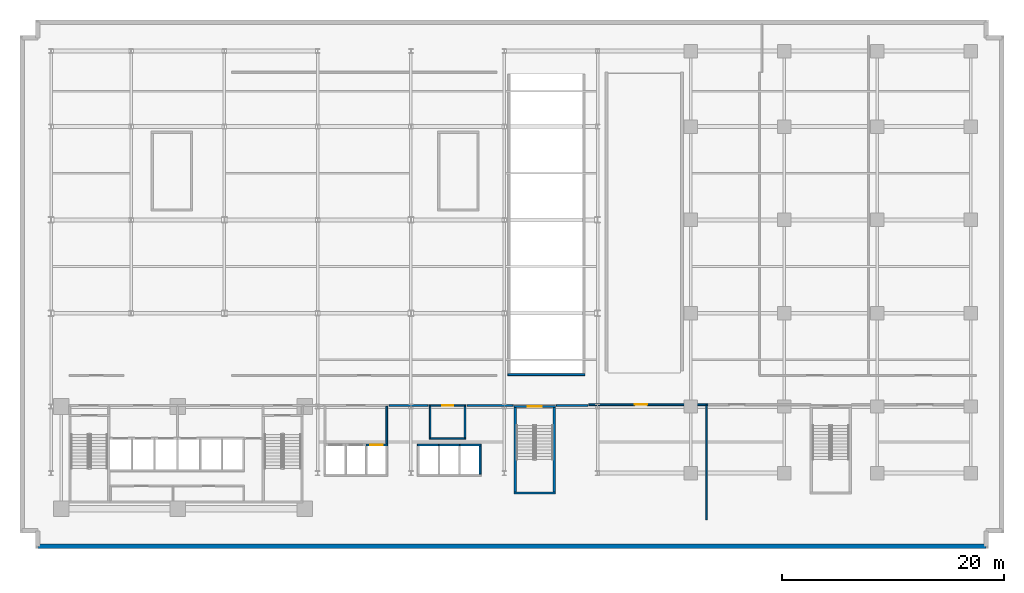
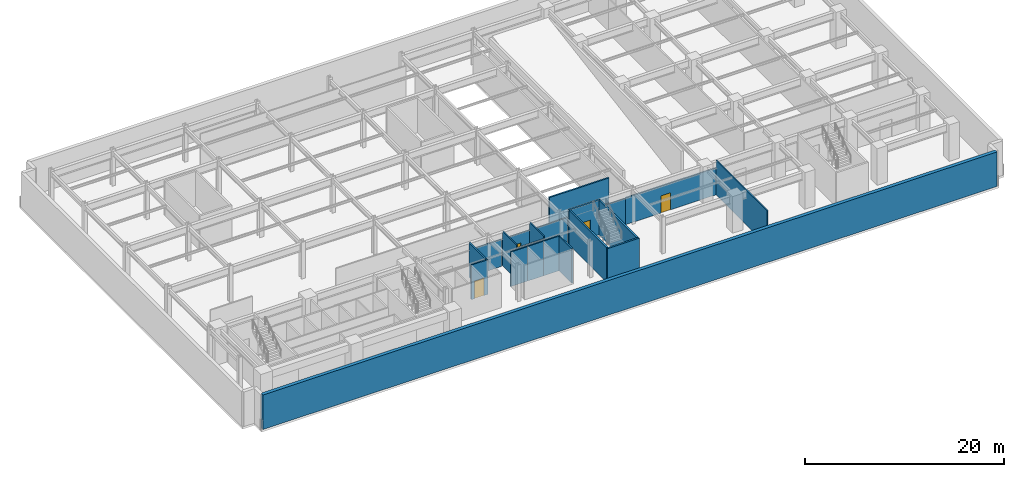
# One storey, part 8 of 14: 21 walls, 4 doors, 4 openings.
"""IFC4 building model written with IfcOpenShell, lengths in metres."""

from ifc_helpers import new_model, si_unit, direction, frame, frame_2d, origin, place, context, subcontext, project, spatial, rectangle, extrude, material, layer, layer_set, type_object, element, fill, save


model = new_model("IFC4")

# Units and contexts
model_context = context("Model", 3, precision=1e-05, world=origin(), true_north=direction((0.0, 1.0)))
body_context = subcontext(model_context, "Body", "Model", "MODEL_VIEW")
ifc_project = project(units=[si_unit("LENGTHUNIT", "METRE"), si_unit("AREAUNIT", "SQUARE_METRE"), si_unit("VOLUMEUNIT", "CUBIC_METRE"), si_unit("PLANEANGLEUNIT", "RADIAN"), si_unit("MASSUNIT", "GRAM", prefix="KILO")], contexts=[model_context])

# Site, building, storey
site_placement = place(None, origin())
site = spatial("IfcSite", under=ifc_project, at=site_placement, CompositionType="ELEMENT")
building_placement = place(site_placement, origin())
building = spatial("IfcBuilding", under=site, at=building_placement, Name="Varnakote Quay Hospital", CompositionType="ELEMENT")
storey_placement = place(building_placement, frame((0.0, 0.0, -4.5)))
storey = spatial("IfcBuildingStorey", under=building, at=storey_placement, Name="B01", CompositionType="ELEMENT", Elevation=-4.5)

# Walls
ifc_material_1 = material(Name="Concrete N40 (f'c 40 MPa)", Category="concrete")
ifc_layer_1 = layer(ifc_material_1, 0.39990234375)
ifc_layer_set_1 = layer_set([ifc_layer_1], Name="Concrete N40 (f'c 40 MPa)")
wall_type_1 = type_object("IfcWallType", Name="WL-BSMT-RET-400", PredefinedType="STANDARD", material=ifc_layer_set_1)
wall_1_placement = place(storey_placement, frame((0.0, -0.60009765625, 0.0), z_axis=(0.0, 0.0, 1.0), x_axis=(1.0, 0.0, 0.0)))
element("IfcWall", 1, at=wall_1_placement, inside=storey, type_object=wall_type_1, Name="B01 Tanked Basement Retaining Wall", PredefinedType="STANDARD", context=body_context, shape_type="SweptSolid", body=[
    extrude(rectangle(XDim=85.39990234375, YDim=0.39990234375, at=frame_2d((42.699951171875, 0.0))), origin(), (0.0, 0.0, 1.0), 4.25),
])
ifc_material_2 = material(Name="Fire-rated acoustic gypsum stud wall", Category="gypsum")
ifc_layer_2 = layer(ifc_material_2, 0.159912109375)
ifc_layer_set_2 = layer_set([ifc_layer_2], Name="Fire-rated acoustic gypsum stud wall")
wall_type_2 = type_object("IfcWallType", Name="WL-COMP-160", PredefinedType="PARTITIONING", material=ifc_layer_set_2)
wall_2_placement = place(storey_placement, frame((31.429931640625, 8.610107421875, 0.0), z_axis=(0.0, 0.0, 1.0), x_axis=(0.0, 1.0, 0.0)))
element("IfcWall", 2, at=wall_2_placement, inside=storey, type_object=wall_type_2, Name="B01 Low-Rise Lift Lobby East Wall", PredefinedType="PARTITIONING", context=body_context, shape_type="SweptSolid", body=[
    extrude(rectangle(XDim=3.389892578125, YDim=0.159912109375, at=frame_2d((1.69482421875, 0.0))), origin(), (0.0, 0.0, 1.0), 4.25),
])
wall_3_placement = place(storey_placement, frame((31.6298828125, 12.080078125, 0.0), z_axis=(0.0, 0.0, 1.0), x_axis=(1.0, 0.0, 0.0)))
element("IfcWall", 3, at=wall_3_placement, inside=storey, type_object=wall_type_2, Name="B01 Corridor South Gap Wall", PredefinedType="PARTITIONING", context=body_context, shape_type="SweptSolid", body=[
    extrude(rectangle(XDim=3.510498046875, YDim=0.159912109375, at=frame_2d((1.75537109375, 0.0))), origin(), (0.0, 0.0, 1.0), 3.31494140625),
])
wall_4_placement = place(storey_placement, frame((38.659423828125, 12.080078125, 0.0), z_axis=(0.0, 0.0, 1.0), x_axis=(1.0, 0.0, 0.0)))
element("IfcWall", 4, at=wall_4_placement, inside=storey, type_object=wall_type_2, Name="B01 Corridor South Gap Wall", PredefinedType="PARTITIONING", context=body_context, shape_type="SweptSolid", body=[
    extrude(rectangle(XDim=4.1513671875, YDim=0.159912109375, at=frame_2d((2.07568359375, 0.0))), origin(), (0.0, 0.0, 1.0), 3.31494140625),
])
wall_5_placement = place(storey_placement, frame((46.689208984375, 12.080078125, 0.0), z_axis=(0.0, 0.0, 1.0), x_axis=(1.0, 0.0, 0.0)))
element("IfcWall", 5, at=wall_5_placement, inside=storey, type_object=wall_type_2, Name="B01 Corridor South Gap Wall", PredefinedType="PARTITIONING", context=body_context, shape_type="SweptSolid", body=[
    extrude(rectangle(XDim=2.843017578125, YDim=0.159912109375, at=frame_2d((1.42138671875, 0.0))), origin(), (0.0, 0.0, 1.0), 3.31494140625),
])
ifc_material_3 = material(Name="Fire-rated acoustic gypsum stud wall", Category="gypsum")
ifc_layer_3 = layer(ifc_material_3, 0.179931640625)
ifc_layer_set_3 = layer_set([ifc_layer_3], Name="Fire-rated acoustic gypsum stud wall")
wall_type_3 = type_object("IfcWallType", Name="WL-COMP-180", PredefinedType="PARTITIONING", material=ifc_layer_set_3)
wall_6_placement = place(storey_placement, frame((42.330078125, 14.8798828125, 0.0), z_axis=(0.0, 0.0, 1.0), x_axis=(1.0, 0.0, 0.0)))
element("IfcWall", 6, at=wall_6_placement, inside=storey, type_object=wall_type_3, Name="B01 Vehicle Ramp R1 Opening South Headwall", PredefinedType="PARTITIONING", context=body_context, shape_type="SweptSolid", body=[
    extrude(rectangle(XDim=6.93994140625, YDim=0.179931640625, at=frame_2d((3.469970703125, 0.0))), origin(), (0.0, 0.0, 1.0), 4.25),
])

# Wall, opening, door
ifc_material_4 = material(Name="Concrete N50 (f'c 50 MPa)", Category="concrete")
ifc_layer_4 = layer(ifc_material_4, 0.159912109375)
ifc_layer_set_4 = layer_set([ifc_layer_4], Name="Concrete N50 (f'c 50 MPa)")
wall_type_4 = type_object("IfcWallType", Name="WL-SHAFT-N50-160", PredefinedType="SHEAR", material=ifc_layer_set_4)
wall_7_placement = place(storey_placement, frame((29.574951171875, 8.530029296875, 0.0), z_axis=(0.0, 0.0, 1.0), x_axis=(1.0, 0.0, 0.0)))
wall_7 = element("IfcWall", 7, at=wall_7_placement, inside=storey, type_object=wall_type_4, Name="B01 LF-PL3 Hoistway Front Wall", PredefinedType="SHEAR", context=body_context, shape_type="SweptSolid", body=[
    extrude(rectangle(XDim=1.93505859375, YDim=0.159912109375, at=frame_2d((0.967529296875, 0.0))), origin(), (0.0, 0.0, 1.0), 4.25),
])
opening_1_placement = place(wall_7_placement, frame((0.375, 0.0, 0.0)))
opening_1 = element("IfcOpeningElement", 8, at=opening_1_placement, cuts=wall_7, Name="Opening LD-PL3-B01", PredefinedType="OPENING", context=body_context, shape_type="SweptSolid", body=[
    extrude(rectangle(XDim=1.10009765625, YDim=2.14990234375, at=frame_2d((0.550048828125, 1.074951171875))), frame((0.0, 0.08984375, 0.0), z_axis=(0.0, -1.0, 0.0), x_axis=(1.0, 0.0, 0.0)), (0.0, 0.0, 1.0), 0.179931640625),
])
ifc_material_5 = material(Name="Brushed bronze lift landing sliding door")
door_type_1 = type_object("IfcDoorType", Name="DR-LIFT-LD-1100x2150", OperationType="NOTDEFINED", PredefinedType="DOOR", material=ifc_material_5)
door_1_placement = place(opening_1_placement, origin())
door_1 = element("IfcDoor", 9, at=door_1_placement, inside=storey, type_object=door_type_1, Name="B01 LF-PL3 Lift Landing Sliding Door", OperationType="SLIDING_TO_LEFT", OverallHeight=2.14990234375, OverallWidth=1.10009765625, PredefinedType="DOOR", context=body_context, shape_type="SweptSolid", body=[
    extrude(rectangle(XDim=1.10009765625, YDim=2.14990234375, at=frame_2d((0.550048828125, 1.074951171875))), frame((0.0, 0.02490234375, 0.0), z_axis=(0.0, -1.0, 0.0), x_axis=(1.0, 0.0, 0.0)), (0.0, 0.0, 1.0), 0.050048828125),
])
fill(opening_1, door_1)

# Walls
wall_8_placement = place(storey_placement, frame((39.830078125, 5.89990234375, 0.0), z_axis=(0.0, 0.0, 1.0), x_axis=(0.0, 1.0, 0.0)))
element("IfcWall", 10, at=wall_8_placement, inside=storey, type_object=wall_type_4, Name="B01 MID Lift Bank East Shear Wall", PredefinedType="SHEAR", context=body_context, shape_type="SweptSolid", body=[
    extrude(rectangle(XDim=2.550048828125, YDim=0.159912109375, at=frame_2d((1.27490234375, 0.0))), origin(), (0.0, 0.0, 1.0), 4.25),
])
wall_9_placement = place(storey_placement, frame((34.18994140625, 8.530029296875, 0.0), z_axis=(0.0, 0.0, 1.0), x_axis=(1.0, 0.0, 0.0)))
element("IfcWall", 11, at=wall_9_placement, inside=storey, type_object=wall_type_4, Name="B01 LF-PM1 Hoistway Front Wall", PredefinedType="SHEAR", context=body_context, shape_type="SweptSolid", body=[
    extrude(rectangle(XDim=1.93505859375, YDim=0.159912109375, at=frame_2d((0.967529296875, 0.0))), origin(), (0.0, 0.0, 1.0), 4.25),
])
wall_10_placement = place(storey_placement, frame((36.125, 8.530029296875, 0.0), z_axis=(0.0, 0.0, 1.0), x_axis=(1.0, 0.0, 0.0)))
element("IfcWall", 12, at=wall_10_placement, inside=storey, type_object=wall_type_4, Name="B01 LF-PM2 Hoistway Front Wall", PredefinedType="SHEAR", context=body_context, shape_type="SweptSolid", body=[
    extrude(rectangle(XDim=1.85009765625, YDim=0.159912109375, at=frame_2d((0.925048828125, 0.0))), origin(), (0.0, 0.0, 1.0), 4.25),
])
wall_11_placement = place(storey_placement, frame((37.97509765625, 8.530029296875, 0.0), z_axis=(0.0, 0.0, 1.0), x_axis=(1.0, 0.0, 0.0)))
element("IfcWall", 13, at=wall_11_placement, inside=storey, type_object=wall_type_4, Name="B01 LF-PM3 Hoistway Front Wall", PredefinedType="SHEAR", context=body_context, shape_type="SweptSolid", body=[
    extrude(rectangle(XDim=1.934814453125, YDim=0.159912109375, at=frame_2d((0.96728515625, 0.0))), origin(), (0.0, 0.0, 1.0), 4.25),
])
ifc_material_6 = material(Name="Concrete N50 (f'c 50 MPa)", Category="concrete")
ifc_layer_5 = layer(ifc_material_6, 0.199951171875)
ifc_layer_set_5 = layer_set([ifc_layer_5], Name="Concrete N50 (f'c 50 MPa)")
wall_type_5 = type_object("IfcWallType", Name="WL-SHAFT-N50-200", PredefinedType="SHEAR", material=ifc_layer_set_5)
wall_12_placement = place(storey_placement, frame((42.89990234375, 4.199951171875, 0.0), z_axis=(0.0, 0.0, 1.0), x_axis=(1.0, 0.0, 0.0)))
element("IfcWall", 14, at=wall_12_placement, inside=storey, type_object=wall_type_5, Name="B01 Stair ST3 South Shaft Wall", PredefinedType="SHEAR", context=body_context, shape_type="SweptSolid", body=[
    extrude(rectangle(XDim=3.7001953125, YDim=0.199951171875, at=frame_2d((1.85009765625, 0.0))), origin(), (0.0, 0.0, 1.0), 4.25),
])
for number, where, z_axis, x_axis, name in (
    (15, (43.0, 4.300048828125, 0.0), (0.0, 0.0, 1.0), (0.0, 1.0, 0.0), "B01 Stair ST3 West Shaft Wall"),
    (16, (46.5, 4.300048828125, 0.0), (0.0, 0.0, 1.0), (0.0, 1.0, 0.0), "B01 Stair ST3 East Shaft Wall"),
):
    element("IfcWall", number, at=place(storey_placement, frame(where, z_axis=z_axis, x_axis=x_axis)), inside=storey, type_object=wall_type_5, Name=name, PredefinedType="SHEAR", context=body_context, shape_type="SweptSolid", body=[
        extrude(rectangle(XDim=7.599853515625, YDim=0.199951171875, at=frame_2d((3.7998046875, 0.0))), origin(), (0.0, 0.0, 1.0), 4.25),
    ])

# Wall, opening, door
wall_13_placement = place(storey_placement, frame((42.89990234375, 12.0, 0.0), z_axis=(0.0, 0.0, 1.0), x_axis=(1.0, 0.0, 0.0)))
wall_13 = element("IfcWall", 17, at=wall_13_placement, inside=storey, type_object=wall_type_5, Name="B01 Stair ST3 Exit Wall", PredefinedType="SHEAR", context=body_context, shape_type="SweptSolid", body=[
    extrude(rectangle(XDim=3.7001953125, YDim=0.199951171875, at=frame_2d((1.85009765625, 0.0))), origin(), (0.0, 0.0, 1.0), 4.25),
])
opening_2_placement = place(wall_13_placement, frame((1.199951171875, 0.0, 0.0)))
opening_2 = element("IfcOpeningElement", 18, at=opening_2_placement, cuts=wall_13, Name="Opening D-ST3-B01", PredefinedType="OPENING", context=body_context, shape_type="SweptSolid", body=[
    extrude(rectangle(XDim=1.300048828125, YDim=2.14990234375, at=frame_2d((0.64990234375, 1.074951171875))), frame((0.0, 0.10986328125, 0.0), z_axis=(0.0, -1.0, 0.0), x_axis=(1.0, 0.0, 0.0)), (0.0, 0.0, 1.0), 0.219970703125),
])
ifc_material_7 = material(Name="Fire-rated ceramic-glazed timber exit door", Category="wood")
door_type_2 = type_object("IfcDoorType", Name="DR-STAIR-FD60S-1300x2150", OperationType="NOTDEFINED", PredefinedType="DOOR", material=ifc_material_7)
door_2_placement = place(opening_2_placement, origin())
door_2 = element("IfcDoor", 19, at=door_2_placement, inside=storey, type_object=door_type_2, Name="B01 Stair ST3 Fire Exit Door", OperationType="SINGLE_SWING_RIGHT", OverallHeight=2.14990234375, OverallWidth=1.300048828125, PredefinedType="DOOR", context=body_context, shape_type="SweptSolid", body=[
    extrude(rectangle(XDim=1.300048828125, YDim=2.14990234375, at=frame_2d((0.64990234375, 1.074951171875))), frame((0.0, 0.02490234375, 0.0), z_axis=(0.0, -1.0, 0.0), x_axis=(1.0, 0.0, 0.0)), (0.0, 0.0, 1.0), 0.050048828125),
])
fill(opening_2, door_2)

# Walls
ifc_material_8 = material(Name="Smoke-proof clinical partition", Category="gypsum")
ifc_layer_6 = layer(ifc_material_8, 0.135009765625)
ifc_layer_set_6 = layer_set([ifc_layer_6], Name="Smoke-proof clinical partition")
wall_type_6 = type_object("IfcWallType", Name="WL-SMOKE-135", PredefinedType="PARTITIONING", material=ifc_layer_set_6)
wall_14_placement = place(storey_placement, frame((60.199951171875, 1.800048828125, 0.0), z_axis=(0.0, 0.0, 1.0), x_axis=(0.0, 1.0, 0.0)))
element("IfcWall", 20, at=wall_14_placement, inside=storey, type_object=wall_type_6, Name="B01 Clinical Interior Partition", PredefinedType="PARTITIONING", context=body_context, shape_type="SweptSolid", body=[
    extrude(rectangle(XDim=10.294921875, YDim=0.135009765625, at=frame_2d((5.1474609375, 0.0))), origin(), (0.0, 0.0, 1.0), 4.25),
])
ifc_material_9 = material(Name="Fire-rated clinical gypsum partition", Category="gypsum")
ifc_layer_7 = layer(ifc_material_9, 0.139892578125)
ifc_layer_set_7 = layer_set([ifc_layer_7], Name="Fire-rated clinical gypsum partition")
wall_type_7 = type_object("IfcWallType", Name="WL-WARD-140", PredefinedType="PARTITIONING", material=ifc_layer_set_7)
wall_15_placement = place(storey_placement, frame((35.260009765625, 9.1298828125, 0.0), z_axis=(0.0, 0.0, 1.0), x_axis=(1.0, 0.0, 0.0)))
element("IfcWall", 21, at=wall_15_placement, inside=storey, type_object=wall_type_7, Name="B01 Floor Unisex Accessible WC S Wall", PredefinedType="PARTITIONING", context=body_context, shape_type="SweptSolid", body=[
    extrude(rectangle(XDim=3.280029296875, YDim=0.139892578125, at=frame_2d((1.64013671875, 0.0))), origin(), (0.0, 0.0, 1.0), 3.968994140625),
])

# Wall, opening, door
wall_16_placement = place(storey_placement, frame((35.260009765625, 12.070068359375, 0.0), z_axis=(0.0, 0.0, 1.0), x_axis=(1.0, 0.0, 0.0)))
wall_16 = element("IfcWall", 22, at=wall_16_placement, inside=storey, type_object=wall_type_7, Name="B01 Floor Unisex Accessible WC N Wall", PredefinedType="PARTITIONING", context=body_context, shape_type="SweptSolid", body=[
    extrude(rectangle(XDim=3.280029296875, YDim=0.139892578125, at=frame_2d((1.64013671875, 0.0))), origin(), (0.0, 0.0, 1.0), 3.31494140625),
])
opening_3_placement = place(wall_16_placement, frame((1.14990234375, 0.0, 0.0)))
opening_3 = element("IfcOpeningElement", 23, at=opening_3_placement, cuts=wall_16, Name="Opening D-B01-EW01", PredefinedType="OPENING", context=body_context, shape_type="SweptSolid", body=[
    extrude(rectangle(XDim=0.97998046875, YDim=2.10009765625, at=frame_2d((0.489990234375, 1.050048828125))), frame((0.0, 0.079833984375, 0.0), z_axis=(0.0, -1.0, 0.0), x_axis=(1.0, 0.0, 0.0)), (0.0, 0.0, 1.0), 0.159912109375),
])
ifc_material_10 = material(Name="Accessible sanitary compartment door")
door_type_3 = type_object("IfcDoorType", Name="DR-WC-980x2100", OperationType="NOTDEFINED", PredefinedType="DOOR", material=ifc_material_10)
door_3_placement = place(opening_3_placement, origin())
door_3 = element("IfcDoor", 24, at=door_3_placement, inside=storey, type_object=door_type_3, Name="B01 Floor Unisex Accessible WC Door", OperationType="SINGLE_SWING_LEFT", OverallHeight=2.10009765625, OverallWidth=0.97998046875, PredefinedType="DOOR", context=body_context, shape_type="SweptSolid", body=[
    extrude(rectangle(XDim=0.97998046875, YDim=2.10009765625, at=frame_2d((0.489990234375, 1.050048828125))), frame((0.0, 0.02490234375, 0.0), z_axis=(0.0, -1.0, 0.0), x_axis=(1.0, 0.0, 0.0)), (0.0, 0.0, 1.0), 0.050048828125),
])
fill(opening_3, door_3)

# Walls
for number, where, z_axis, x_axis, name in (
    (25, (35.330078125, 9.199951171875, 0.0), (0.0, 0.0, 1.0), (0.0, 1.0, 0.0), "B01 Floor Unisex Accessible WC W Wall"),
    (26, (38.469970703125, 9.199951171875, 0.0), (0.0, 0.0, 1.0), (0.0, 1.0, 0.0), "B01 Floor Unisex Accessible WC E Wall"),
):
    element("IfcWall", number, at=place(storey_placement, frame(where, z_axis=z_axis, x_axis=x_axis)), inside=storey, type_object=wall_type_7, Name=name, PredefinedType="PARTITIONING", context=body_context, shape_type="SweptSolid", body=[
        extrude(rectangle(XDim=2.800048828125, YDim=0.139892578125, at=frame_2d((1.39990234375, 0.0))), origin(), (0.0, 0.0, 1.0), 4.25),
    ])

# Wall, opening, door
ifc_material_11 = material(Name="Fire-rated clinical gypsum partition", Category="gypsum")
ifc_layer_8 = layer(ifc_material_11, 0.14990234375)
ifc_layer_set_8 = layer_set([ifc_layer_8], Name="Fire-rated clinical gypsum partition")
wall_type_8 = type_object("IfcWallType", Name="WL-WARD-150", PredefinedType="PARTITIONING", material=ifc_layer_set_8)
wall_17_placement = place(storey_placement, frame((49.62158203125, 12.159912109375, 0.0), z_axis=(0.0, 0.0, 1.0), x_axis=(1.0, 0.0, 0.0)))
wall_17 = element("IfcWall", 27, at=wall_17_placement, inside=storey, type_object=wall_type_8, Name="B01 Clinical Interior Partition", PredefinedType="PARTITIONING", context=body_context, shape_type="SweptSolid", body=[
    extrude(rectangle(XDim=10.7568359375, YDim=0.14990234375, at=frame_2d((5.37841796875, 0.0))), origin(), (0.0, 0.0, 1.0), 3.31494140625),
])
opening_4_placement = place(wall_17_placement, frame((4.13427734375, 0.0, 0.0)))
opening_4 = element("IfcOpeningElement", 28, at=opening_4_placement, cuts=wall_17, Name="Opening D-B01-CSSD", PredefinedType="OPENING", context=body_context, shape_type="SweptSolid", body=[
    extrude(rectangle(XDim=1.10009765625, YDim=2.10009765625, at=frame_2d((0.550048828125, 1.050048828125))), frame((0.0, 0.0849609375, 0.0), z_axis=(0.0, -1.0, 0.0), x_axis=(1.0, 0.0, 0.0)), (0.0, 0.0, 1.0), 0.169921875),
])
ifc_material_12 = material(Name="Acoustic timber clinical consult door", Category="wood")
door_type_4 = type_object("IfcDoorType", Name="DR-CLIN-FD30S-1100x2100", OperationType="NOTDEFINED", PredefinedType="DOOR", material=ifc_material_12)
door_4_placement = place(opening_4_placement, origin())
door_4 = element("IfcDoor", 29, at=door_4_placement, inside=storey, type_object=door_type_4, Name="B01 Central Sterile Supply Treatment Department Door", OperationType="SINGLE_SWING_RIGHT", OverallHeight=2.10009765625, OverallWidth=1.10009765625, PredefinedType="DOOR", context=body_context, shape_type="SweptSolid", body=[
    extrude(rectangle(XDim=1.10009765625, YDim=2.10009765625, at=frame_2d((0.550048828125, 1.050048828125))), frame((0.0, 0.02490234375, 0.0), z_axis=(0.0, -1.0, 0.0), x_axis=(1.0, 0.0, 0.0)), (0.0, 0.0, 1.0), 0.050048828125),
])
fill(opening_4, door_4)

save(model, "model.ifc")
